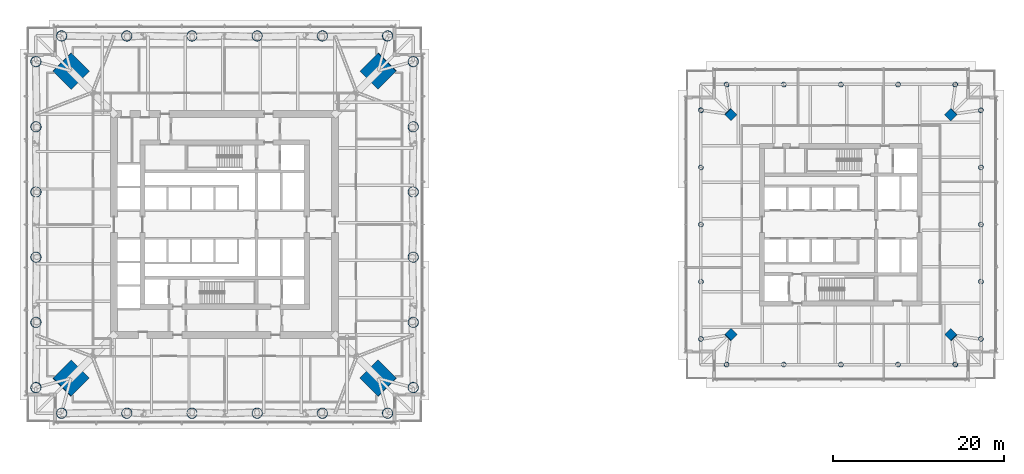
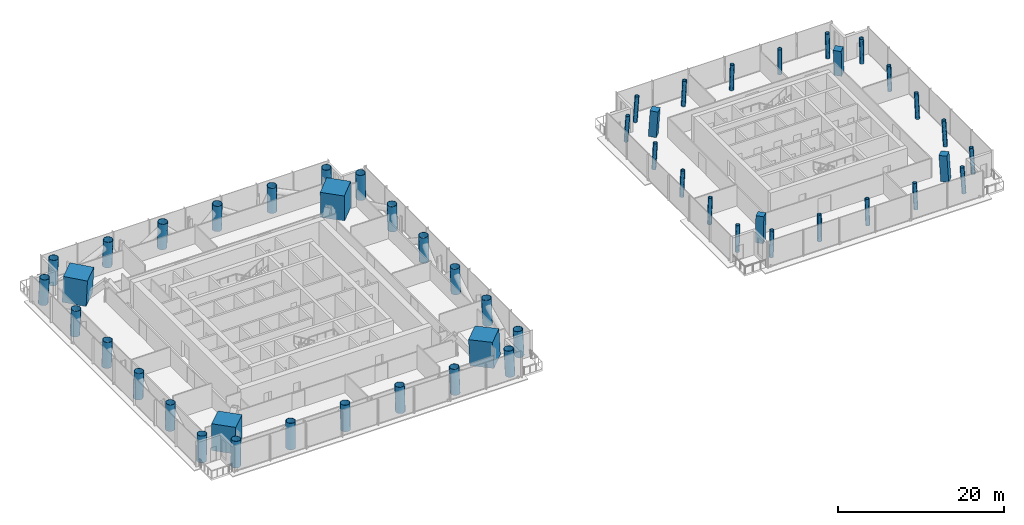
# One storey, part 1 of 28: 52 columns.
"""IFC4 building model written with IfcOpenShell, lengths in metres."""

from ifc_helpers import new_model, si_unit, direction, frame, origin, origin_2d, place, context, subcontext, project, spatial, rectangle, hollow_circle, extrude, material, material_profile, profile_set, type_object, element, save


model = new_model("IFC4")

# Units and contexts
model_context = context("Model", 3, precision=1e-05, world=origin(), true_north=direction((0.0, 1.0)))
body_context = subcontext(model_context, "Body", "Model", "MODEL_VIEW")
ifc_project = project(units=[si_unit("LENGTHUNIT", "METRE"), si_unit("AREAUNIT", "SQUARE_METRE"), si_unit("VOLUMEUNIT", "CUBIC_METRE"), si_unit("PLANEANGLEUNIT", "RADIAN"), si_unit("MASSUNIT", "GRAM", prefix="KILO")], contexts=[model_context])

# Site, building, storey
site_placement = place(None, origin())
site = spatial("IfcSite", under=ifc_project, at=site_placement, CompositionType="ELEMENT")
building_placement = place(site_placement, origin())
building = spatial("IfcBuilding", under=site, at=building_placement, Name="Ostroluk Exchange", CompositionType="ELEMENT")
storey_placement = place(building_placement, frame((0.0, 0.0, 81.800048828125)))
storey = spatial("IfcBuildingStorey", under=building, at=storey_placement, Name="L20", CompositionType="ELEMENT", Elevation=81.800048828125)

# Columns
ifc_material_1 = material(Name="Concrete C50/60", Category="concrete")
ifc_material_profile_1 = material_profile(ifc_material_1, rectangle(XDim=1.0, YDim=1.0, at=origin_2d()), Name="RC 1000x1000")
ifc_profile_set_1 = profile_set([ifc_material_profile_1], Name="Concrete C50/60")
column_type_1 = type_object("IfcColumnType", Name="Mega column RC 1000x1000", PredefinedType="COLUMN", material=ifc_profile_set_1)
for number, where, z_axis, x_axis, name in (
    (1, (129.87939453125, 58.87939453125, 0.0), (-0.043029647111, -0.043029647111, 0.998146732169), (0.707106781187, -0.707106781187, 0.0), "T2 mega column NE"),
    (2, (104.12060546875, 58.87939453125, 0.0), (0.043029647111, -0.043029647111, 0.998146732169), (0.707106781187, 0.707106781187, 0.0), "T2 mega column NW"),
    (3, (104.12060546875, 33.12060546875, 0.0), (0.043029647111, 0.043029647111, 0.998146732169), (-0.707106781187, 0.707106781187, 0.0), "T2 mega column SW"),
    (4, (129.87939453125, 33.12060546875, 0.0), (-0.043029647111, 0.043029647111, 0.998146732169), (-0.707106781187, -0.707106781187, 0.0), "T2 mega column SE"),
):
    element("IfcColumn", number, at=place(storey_placement, frame(where, z_axis=z_axis, x_axis=x_axis)), inside=storey, type_object=column_type_1, Name=name, PredefinedType="COLUMN", context=body_context, shape_type="SweptSolid", body=[
        extrude(rectangle(XDim=1.0, YDim=1.0, at=origin_2d()), origin(), (0.0, 0.0, 1.0), 3.80712890625),
    ])
ifc_material_2 = material(Name="Concrete C50/60", Category="concrete")
ifc_material_profile_2 = material_profile(ifc_material_2, rectangle(XDim=3.0, YDim=3.0, at=origin_2d()), Name="RC 3000x3000")
ifc_profile_set_2 = profile_set([ifc_material_profile_2], Name="Concrete C50/60")
column_type_2 = type_object("IfcColumnType", Name="Mega column RC 3000x3000", PredefinedType="COLUMN", material=ifc_profile_set_2)
for number, where, z_axis, x_axis, name in (
    (5, (62.95703125, 63.95703125, 0.0), (-0.031898107953, -0.031898107953, 0.998981992539), (0.707106781187, -0.707106781187, 0.0), "T1 mega column NE"),
    (6, (27.04296875, 63.95703125, 0.0), (0.031898107953, -0.031898107953, 0.998981992539), (0.707106781187, 0.707106781187, 0.0), "T1 mega column NW"),
    (7, (27.04296875, 28.04296875, 0.0), (0.031898107953, 0.031898107953, 0.998981992539), (-0.707106781187, 0.707106781187, 0.0), "T1 mega column SW"),
    (8, (62.95703125, 28.04296875, 0.0), (-0.031898107953, 0.031898107953, 0.998981992539), (-0.707106781187, -0.707106781187, 0.0), "T1 mega column SE"),
):
    element("IfcColumn", number, at=place(storey_placement, frame(where, z_axis=z_axis, x_axis=x_axis)), inside=storey, type_object=column_type_2, Name=name, PredefinedType="COLUMN", context=body_context, shape_type="SweptSolid", body=[
        extrude(rectangle(XDim=3.0, YDim=3.0, at=origin_2d()), origin(), (0.0, 0.0, 1.0), 3.803955078125),
    ])
ifc_material_3 = material(Name="Steel S460", Category="steel")
ifc_material_profile_3 = material_profile(ifc_material_3, hollow_circle(Radius=0.609619140625, WallThickness=0.0400390625, at=origin_2d()), Name="CHS 1219x40")
ifc_profile_set_3 = profile_set([ifc_material_profile_3], Name="Steel S460")
column_type_3 = type_object("IfcColumnType", Name="Perimeter column CHS 1219x40", PredefinedType="COLUMN", material=ifc_profile_set_3)
for number, where, z_axis, x_axis, name in (
    (9, (67.05712890625, 26.94287109375, 0.0), (-0.031898107953, 0.031898107953, 0.998981992539), (-0.707106781187, -0.707106781187, 0.0), "T1 east face column E0"),
    (10, (67.05712890625, 65.05712890625, 0.0), (-0.031898107953, -0.031898107953, 0.998981992539), (0.707106781187, -0.707106781187, 0.0), "T1 east face column E1"),
):
    element("IfcColumn", number, at=place(storey_placement, frame(where, z_axis=z_axis, x_axis=x_axis)), inside=storey, type_object=column_type_3, Name=name, PredefinedType="COLUMN", context=body_context, shape_type="SweptSolid", body=[
        extrude(hollow_circle(Radius=0.609619140625, WallThickness=0.0400390625, at=origin_2d()), origin(), (0.0, 0.0, 1.0), 3.803955078125),
    ])
column_1_placement = place(storey_placement, frame((67.05712890625, 34.565673828125, 0.0), z_axis=(-0.031908467525, 0.019196442233, 0.999306432635), x_axis=(-0.515509579284, -0.856883815734, 0.0)))
element("IfcColumn", 11, at=column_1_placement, inside=storey, type_object=column_type_3, Name="T1 east face column I1", PredefinedType="COLUMN", context=body_context, shape_type="SweptSolid", body=[
    extrude(hollow_circle(Radius=0.609619140625, WallThickness=0.0400390625, at=origin_2d()), origin(), (0.0, 0.0, 1.0), 3.802734375),
])
for number, where, z_axis, x_axis, name in (
    (12, (67.05712890625, 42.1884765625, 0.0), (-0.031913690376, 0.006421265669, 0.999470001408), (-0.197254006954, -0.980352414563, 0.0), "T1 east face column I2"),
    (13, (67.05712890625, 49.8115234375, 0.0), (-0.031913690376, -0.006421265669, 0.999470001408), (0.197254006954, -0.980352414563, 0.0), "T1 east face column I3"),
):
    element("IfcColumn", number, at=place(storey_placement, frame(where, z_axis=z_axis, x_axis=x_axis)), inside=storey, type_object=column_type_3, Name=name, PredefinedType="COLUMN", context=body_context, shape_type="SweptSolid", body=[
        extrude(hollow_circle(Radius=0.609619140625, WallThickness=0.0400390625, at=origin_2d()), origin(), (0.0, 0.0, 1.0), 3.802001953125),
    ])
column_2_placement = place(storey_placement, frame((67.05712890625, 57.434326171875, 0.0), z_axis=(-0.031908467525, -0.019196442233, 0.999306432635), x_axis=(0.515509579284, -0.856883815734, 0.0)))
element("IfcColumn", 14, at=column_2_placement, inside=storey, type_object=column_type_3, Name="T1 east face column I4", PredefinedType="COLUMN", context=body_context, shape_type="SweptSolid", body=[
    extrude(hollow_circle(Radius=0.609619140625, WallThickness=0.0400390625, at=origin_2d()), origin(), (0.0, 0.0, 1.0), 3.802734375),
])
for number, where, z_axis, x_axis, name in (
    (15, (64.05712890625, 68.05712890625, 0.0), (-0.031898107953, -0.031898107953, 0.998981992539), (0.707106781187, -0.707106781187, 0.0), "T1 north face column E0"),
    (16, (25.94287109375, 68.05712890625, 0.0), (0.031898107953, -0.031898107953, 0.998981992539), (0.707106781187, 0.707106781187, 0.0), "T1 north face column E1"),
):
    element("IfcColumn", number, at=place(storey_placement, frame(where, z_axis=z_axis, x_axis=x_axis)), inside=storey, type_object=column_type_3, Name=name, PredefinedType="COLUMN", context=body_context, shape_type="SweptSolid", body=[
        extrude(hollow_circle(Radius=0.609619140625, WallThickness=0.0400390625, at=origin_2d()), origin(), (0.0, 0.0, 1.0), 3.803955078125),
    ])
column_3_placement = place(storey_placement, frame((56.434326171875, 68.05712890625, 0.0), z_axis=(-0.019196442233, -0.031908467525, 0.999306432635), x_axis=(0.856883815734, -0.515509579284, 0.0)))
element("IfcColumn", 17, at=column_3_placement, inside=storey, type_object=column_type_3, Name="T1 north face column I1", PredefinedType="COLUMN", context=body_context, shape_type="SweptSolid", body=[
    extrude(hollow_circle(Radius=0.609619140625, WallThickness=0.0400390625, at=origin_2d()), origin(), (0.0, 0.0, 1.0), 3.802734375),
])
for number, where, z_axis, x_axis, name in (
    (18, (48.8115234375, 68.05712890625, 0.0), (-0.006421265669, -0.031913690376, 0.999470001408), (0.980352414563, -0.197254006954, 0.0), "T1 north face column I2"),
    (19, (41.1884765625, 68.05712890625, 0.0), (0.006421265669, -0.031913690376, 0.999470001408), (0.980352414563, 0.197254006954, 0.0), "T1 north face column I3"),
):
    element("IfcColumn", number, at=place(storey_placement, frame(where, z_axis=z_axis, x_axis=x_axis)), inside=storey, type_object=column_type_3, Name=name, PredefinedType="COLUMN", context=body_context, shape_type="SweptSolid", body=[
        extrude(hollow_circle(Radius=0.609619140625, WallThickness=0.0400390625, at=origin_2d()), origin(), (0.0, 0.0, 1.0), 3.802001953125),
    ])
column_4_placement = place(storey_placement, frame((33.565673828125, 68.05712890625, 0.0), z_axis=(0.019196442233, -0.031908467525, 0.999306432635), x_axis=(0.856883815734, 0.515509579284, 0.0)))
element("IfcColumn", 20, at=column_4_placement, inside=storey, type_object=column_type_3, Name="T1 north face column I4", PredefinedType="COLUMN", context=body_context, shape_type="SweptSolid", body=[
    extrude(hollow_circle(Radius=0.609619140625, WallThickness=0.0400390625, at=origin_2d()), origin(), (0.0, 0.0, 1.0), 3.802734375),
])
for number, where, z_axis, x_axis, name in (
    (21, (22.94287109375, 65.05712890625, 0.0), (0.031898107953, -0.031898107953, 0.998981992539), (0.707106781187, 0.707106781187, 0.0), "T1 west face column E0"),
    (22, (22.94287109375, 26.94287109375, 0.0), (0.031898107953, 0.031898107953, 0.998981992539), (-0.707106781187, 0.707106781187, 0.0), "T1 west face column E1"),
):
    element("IfcColumn", number, at=place(storey_placement, frame(where, z_axis=z_axis, x_axis=x_axis)), inside=storey, type_object=column_type_3, Name=name, PredefinedType="COLUMN", context=body_context, shape_type="SweptSolid", body=[
        extrude(hollow_circle(Radius=0.609619140625, WallThickness=0.0400390625, at=origin_2d()), origin(), (0.0, 0.0, 1.0), 3.803955078125),
    ])
column_5_placement = place(storey_placement, frame((22.94287109375, 57.434326171875, 0.0), z_axis=(0.031908467525, -0.019196442233, 0.999306432635), x_axis=(0.515509579284, 0.856883815734, 0.0)))
element("IfcColumn", 23, at=column_5_placement, inside=storey, type_object=column_type_3, Name="T1 west face column I1", PredefinedType="COLUMN", context=body_context, shape_type="SweptSolid", body=[
    extrude(hollow_circle(Radius=0.609619140625, WallThickness=0.0400390625, at=origin_2d()), origin(), (0.0, 0.0, 1.0), 3.802734375),
])
for number, where, z_axis, x_axis, name in (
    (24, (22.94287109375, 49.8115234375, 0.0), (0.031913690376, -0.006421265669, 0.999470001408), (0.197254006954, 0.980352414563, 0.0), "T1 west face column I2"),
    (25, (22.94287109375, 42.1884765625, 0.0), (0.031913690376, 0.006421265669, 0.999470001408), (-0.197254006954, 0.980352414563, 0.0), "T1 west face column I3"),
):
    element("IfcColumn", number, at=place(storey_placement, frame(where, z_axis=z_axis, x_axis=x_axis)), inside=storey, type_object=column_type_3, Name=name, PredefinedType="COLUMN", context=body_context, shape_type="SweptSolid", body=[
        extrude(hollow_circle(Radius=0.609619140625, WallThickness=0.0400390625, at=origin_2d()), origin(), (0.0, 0.0, 1.0), 3.802001953125),
    ])
column_6_placement = place(storey_placement, frame((22.94287109375, 34.565673828125, 0.0), z_axis=(0.031908467525, 0.019196442233, 0.999306432635), x_axis=(-0.515509579284, 0.856883815734, 0.0)))
element("IfcColumn", 26, at=column_6_placement, inside=storey, type_object=column_type_3, Name="T1 west face column I4", PredefinedType="COLUMN", context=body_context, shape_type="SweptSolid", body=[
    extrude(hollow_circle(Radius=0.609619140625, WallThickness=0.0400390625, at=origin_2d()), origin(), (0.0, 0.0, 1.0), 3.802734375),
])
for number, where, z_axis, x_axis, name in (
    (27, (25.94287109375, 23.94287109375, 0.0), (0.031898107953, 0.031898107953, 0.998981992539), (-0.707106781187, 0.707106781187, 0.0), "T1 south face column E0"),
    (28, (64.05712890625, 23.94287109375, 0.0), (-0.031898107953, 0.031898107953, 0.998981992539), (-0.707106781187, -0.707106781187, 0.0), "T1 south face column E1"),
):
    element("IfcColumn", number, at=place(storey_placement, frame(where, z_axis=z_axis, x_axis=x_axis)), inside=storey, type_object=column_type_3, Name=name, PredefinedType="COLUMN", context=body_context, shape_type="SweptSolid", body=[
        extrude(hollow_circle(Radius=0.609619140625, WallThickness=0.0400390625, at=origin_2d()), origin(), (0.0, 0.0, 1.0), 3.803955078125),
    ])
column_7_placement = place(storey_placement, frame((33.565673828125, 23.94287109375, 0.0), z_axis=(0.019196442233, 0.031908467525, 0.999306432635), x_axis=(-0.856883815734, 0.515509579284, 0.0)))
element("IfcColumn", 29, at=column_7_placement, inside=storey, type_object=column_type_3, Name="T1 south face column I1", PredefinedType="COLUMN", context=body_context, shape_type="SweptSolid", body=[
    extrude(hollow_circle(Radius=0.609619140625, WallThickness=0.0400390625, at=origin_2d()), origin(), (0.0, 0.0, 1.0), 3.802734375),
])
for number, where, z_axis, x_axis, name in (
    (30, (41.1884765625, 23.94287109375, 0.0), (0.006421265669, 0.031913690376, 0.999470001408), (-0.980352414563, 0.197254006954, 0.0), "T1 south face column I2"),
    (31, (48.8115234375, 23.94287109375, 0.0), (-0.006421265669, 0.031913690376, 0.999470001408), (-0.980352414563, -0.197254006954, 0.0), "T1 south face column I3"),
):
    element("IfcColumn", number, at=place(storey_placement, frame(where, z_axis=z_axis, x_axis=x_axis)), inside=storey, type_object=column_type_3, Name=name, PredefinedType="COLUMN", context=body_context, shape_type="SweptSolid", body=[
        extrude(hollow_circle(Radius=0.609619140625, WallThickness=0.0400390625, at=origin_2d()), origin(), (0.0, 0.0, 1.0), 3.802001953125),
    ])
column_8_placement = place(storey_placement, frame((56.434326171875, 23.94287109375, 0.0), z_axis=(-0.019196442233, 0.031908467525, 0.999306432635), x_axis=(-0.856883815734, -0.515509579284, 0.0)))
element("IfcColumn", 32, at=column_8_placement, inside=storey, type_object=column_type_3, Name="T1 south face column I4", PredefinedType="COLUMN", context=body_context, shape_type="SweptSolid", body=[
    extrude(hollow_circle(Radius=0.609619140625, WallThickness=0.0400390625, at=origin_2d()), origin(), (0.0, 0.0, 1.0), 3.802734375),
])
ifc_material_4 = material(Name="Steel S460", Category="steel")
ifc_material_profile_4 = material_profile(ifc_material_4, hollow_circle(Radius=0.279541015625, WallThickness=0.02001953125, at=origin_2d()), Name="CHS 559x20")
ifc_profile_set_4 = profile_set([ifc_material_profile_4], Name="Steel S460")
column_type_4 = type_object("IfcColumnType", Name="Perimeter column CHS 559x20", PredefinedType="COLUMN", material=ifc_profile_set_4)
for number, where, z_axis, x_axis, name in (
    (33, (133.37939453125, 32.62060546875, 0.0), (-0.043029647111, 0.043029647111, 0.998146732169), (-0.707106781187, -0.707106781187, 0.0), "T2 east face column E0"),
    (34, (133.37939453125, 59.37939453125, 0.0), (-0.043029647111, -0.043029647111, 0.998146732169), (0.707106781187, -0.707106781187, 0.0), "T2 east face column E1"),
):
    element("IfcColumn", number, at=place(storey_placement, frame(where, z_axis=z_axis, x_axis=x_axis)), inside=storey, type_object=column_type_4, Name=name, PredefinedType="COLUMN", context=body_context, shape_type="SweptSolid", body=[
        extrude(hollow_circle(Radius=0.279541015625, WallThickness=0.02001953125, at=origin_2d()), origin(), (0.0, 0.0, 1.0), 3.80712890625),
    ])
column_9_placement = place(storey_placement, frame((133.37939453125, 39.310302734375, 0.0), z_axis=(-0.043059525333, 0.021561848751, 0.998839808957), x_axis=(-0.44774654769, -0.894160516368, 0.0)))
element("IfcColumn", 35, at=column_9_placement, inside=storey, type_object=column_type_4, Name="T2 east face column I1", PredefinedType="COLUMN", context=body_context, shape_type="SweptSolid", body=[
    extrude(hollow_circle(Radius=0.279541015625, WallThickness=0.02001953125, at=origin_2d()), origin(), (0.0, 0.0, 1.0), 3.804443359375),
])
column_10_placement = place(storey_placement, frame((133.37939453125, 46.0, 0.0), z_axis=(-0.043069538298, 0.0, 0.999072076915), x_axis=(0.0, -1.0, 0.0)))
element("IfcColumn", 36, at=column_10_placement, inside=storey, type_object=column_type_4, Name="T2 east face column I2", PredefinedType="COLUMN", context=body_context, shape_type="SweptSolid", body=[
    extrude(hollow_circle(Radius=0.279541015625, WallThickness=0.02001953125, at=origin_2d()), origin(), (0.0, 0.0, 1.0), 3.803466796875),
])
column_11_placement = place(storey_placement, frame((133.37939453125, 52.689697265625, 0.0), z_axis=(-0.043059525333, -0.021561848751, 0.998839808957), x_axis=(0.44774654769, -0.894160516368, 0.0)))
element("IfcColumn", 37, at=column_11_placement, inside=storey, type_object=column_type_4, Name="T2 east face column I3", PredefinedType="COLUMN", context=body_context, shape_type="SweptSolid", body=[
    extrude(hollow_circle(Radius=0.279541015625, WallThickness=0.02001953125, at=origin_2d()), origin(), (0.0, 0.0, 1.0), 3.804443359375),
])
for number, where, z_axis, x_axis, name in (
    (38, (130.37939453125, 62.37939453125, 0.0), (-0.043029647111, -0.043029647111, 0.998146732169), (0.707106781187, -0.707106781187, 0.0), "T2 north face column E0"),
    (39, (103.62060546875, 62.37939453125, 0.0), (0.043029647111, -0.043029647111, 0.998146732169), (0.707106781187, 0.707106781187, 0.0), "T2 north face column E1"),
):
    element("IfcColumn", number, at=place(storey_placement, frame(where, z_axis=z_axis, x_axis=x_axis)), inside=storey, type_object=column_type_4, Name=name, PredefinedType="COLUMN", context=body_context, shape_type="SweptSolid", body=[
        extrude(hollow_circle(Radius=0.279541015625, WallThickness=0.02001953125, at=origin_2d()), origin(), (0.0, 0.0, 1.0), 3.80712890625),
    ])
column_12_placement = place(storey_placement, frame((123.689697265625, 62.37939453125, 0.0), z_axis=(-0.021561848751, -0.043059525333, 0.998839808957), x_axis=(0.894160516368, -0.44774654769, 0.0)))
element("IfcColumn", 40, at=column_12_placement, inside=storey, type_object=column_type_4, Name="T2 north face column I1", PredefinedType="COLUMN", context=body_context, shape_type="SweptSolid", body=[
    extrude(hollow_circle(Radius=0.279541015625, WallThickness=0.02001953125, at=origin_2d()), origin(), (0.0, 0.0, 1.0), 3.804443359375),
])
column_13_placement = place(storey_placement, frame((117.0, 62.37939453125, 0.0), z_axis=(0.0, -0.043069538298, 0.999072076915), x_axis=(1.0, 0.0, 0.0)))
element("IfcColumn", 41, at=column_13_placement, inside=storey, type_object=column_type_4, Name="T2 north face column I2", PredefinedType="COLUMN", context=body_context, shape_type="SweptSolid", body=[
    extrude(hollow_circle(Radius=0.279541015625, WallThickness=0.02001953125, at=origin_2d()), origin(), (0.0, 0.0, 1.0), 3.803466796875),
])
column_14_placement = place(storey_placement, frame((110.310302734375, 62.37939453125, 0.0), z_axis=(0.021561848751, -0.043059525333, 0.998839808957), x_axis=(0.894160516368, 0.44774654769, 0.0)))
element("IfcColumn", 42, at=column_14_placement, inside=storey, type_object=column_type_4, Name="T2 north face column I3", PredefinedType="COLUMN", context=body_context, shape_type="SweptSolid", body=[
    extrude(hollow_circle(Radius=0.279541015625, WallThickness=0.02001953125, at=origin_2d()), origin(), (0.0, 0.0, 1.0), 3.804443359375),
])
for number, where, z_axis, x_axis, name in (
    (43, (100.62060546875, 59.37939453125, 0.0), (0.043029647111, -0.043029647111, 0.998146732169), (0.707106781187, 0.707106781187, 0.0), "T2 west face column E0"),
    (44, (100.62060546875, 32.62060546875, 0.0), (0.043029647111, 0.043029647111, 0.998146732169), (-0.707106781187, 0.707106781187, 0.0), "T2 west face column E1"),
):
    element("IfcColumn", number, at=place(storey_placement, frame(where, z_axis=z_axis, x_axis=x_axis)), inside=storey, type_object=column_type_4, Name=name, PredefinedType="COLUMN", context=body_context, shape_type="SweptSolid", body=[
        extrude(hollow_circle(Radius=0.279541015625, WallThickness=0.02001953125, at=origin_2d()), origin(), (0.0, 0.0, 1.0), 3.80712890625),
    ])
column_15_placement = place(storey_placement, frame((100.62060546875, 52.689697265625, 0.0), z_axis=(0.043059525333, -0.021561848751, 0.998839808957), x_axis=(0.44774654769, 0.894160516368, 0.0)))
element("IfcColumn", 45, at=column_15_placement, inside=storey, type_object=column_type_4, Name="T2 west face column I1", PredefinedType="COLUMN", context=body_context, shape_type="SweptSolid", body=[
    extrude(hollow_circle(Radius=0.279541015625, WallThickness=0.02001953125, at=origin_2d()), origin(), (0.0, 0.0, 1.0), 3.804443359375),
])
column_16_placement = place(storey_placement, frame((100.62060546875, 46.0, 0.0), z_axis=(0.043069538298, 0.0, 0.999072076915), x_axis=(0.0, 1.0, 0.0)))
element("IfcColumn", 46, at=column_16_placement, inside=storey, type_object=column_type_4, Name="T2 west face column I2", PredefinedType="COLUMN", context=body_context, shape_type="SweptSolid", body=[
    extrude(hollow_circle(Radius=0.279541015625, WallThickness=0.02001953125, at=origin_2d()), origin(), (0.0, 0.0, 1.0), 3.803466796875),
])
column_17_placement = place(storey_placement, frame((100.62060546875, 39.310302734375, 0.0), z_axis=(0.043059525333, 0.021561848751, 0.998839808957), x_axis=(-0.44774654769, 0.894160516368, 0.0)))
element("IfcColumn", 47, at=column_17_placement, inside=storey, type_object=column_type_4, Name="T2 west face column I3", PredefinedType="COLUMN", context=body_context, shape_type="SweptSolid", body=[
    extrude(hollow_circle(Radius=0.279541015625, WallThickness=0.02001953125, at=origin_2d()), origin(), (0.0, 0.0, 1.0), 3.804443359375),
])
for number, where, z_axis, x_axis, name in (
    (48, (103.62060546875, 29.62060546875, 0.0), (0.043029647111, 0.043029647111, 0.998146732169), (-0.707106781187, 0.707106781187, 0.0), "T2 south face column E0"),
    (49, (130.37939453125, 29.62060546875, 0.0), (-0.043029647111, 0.043029647111, 0.998146732169), (-0.707106781187, -0.707106781187, 0.0), "T2 south face column E1"),
):
    element("IfcColumn", number, at=place(storey_placement, frame(where, z_axis=z_axis, x_axis=x_axis)), inside=storey, type_object=column_type_4, Name=name, PredefinedType="COLUMN", context=body_context, shape_type="SweptSolid", body=[
        extrude(hollow_circle(Radius=0.279541015625, WallThickness=0.02001953125, at=origin_2d()), origin(), (0.0, 0.0, 1.0), 3.80712890625),
    ])
column_18_placement = place(storey_placement, frame((110.310302734375, 29.62060546875, 0.0), z_axis=(0.021561848751, 0.043059525333, 0.998839808957), x_axis=(-0.894160516368, 0.44774654769, 0.0)))
element("IfcColumn", 50, at=column_18_placement, inside=storey, type_object=column_type_4, Name="T2 south face column I1", PredefinedType="COLUMN", context=body_context, shape_type="SweptSolid", body=[
    extrude(hollow_circle(Radius=0.279541015625, WallThickness=0.02001953125, at=origin_2d()), origin(), (0.0, 0.0, 1.0), 3.804443359375),
])
column_19_placement = place(storey_placement, frame((117.0, 29.62060546875, 0.0), z_axis=(0.0, 0.043069538298, 0.999072076915), x_axis=(-1.0, 0.0, 0.0)))
element("IfcColumn", 51, at=column_19_placement, inside=storey, type_object=column_type_4, Name="T2 south face column I2", PredefinedType="COLUMN", context=body_context, shape_type="SweptSolid", body=[
    extrude(hollow_circle(Radius=0.279541015625, WallThickness=0.02001953125, at=origin_2d()), origin(), (0.0, 0.0, 1.0), 3.803466796875),
])
column_20_placement = place(storey_placement, frame((123.689697265625, 29.62060546875, 0.0), z_axis=(-0.021561848751, 0.043059525333, 0.998839808957), x_axis=(-0.894160516368, -0.44774654769, 0.0)))
element("IfcColumn", 52, at=column_20_placement, inside=storey, type_object=column_type_4, Name="T2 south face column I3", PredefinedType="COLUMN", context=body_context, shape_type="SweptSolid", body=[
    extrude(hollow_circle(Radius=0.279541015625, WallThickness=0.02001953125, at=origin_2d()), origin(), (0.0, 0.0, 1.0), 3.804443359375),
])

save(model, "model.ifc")
